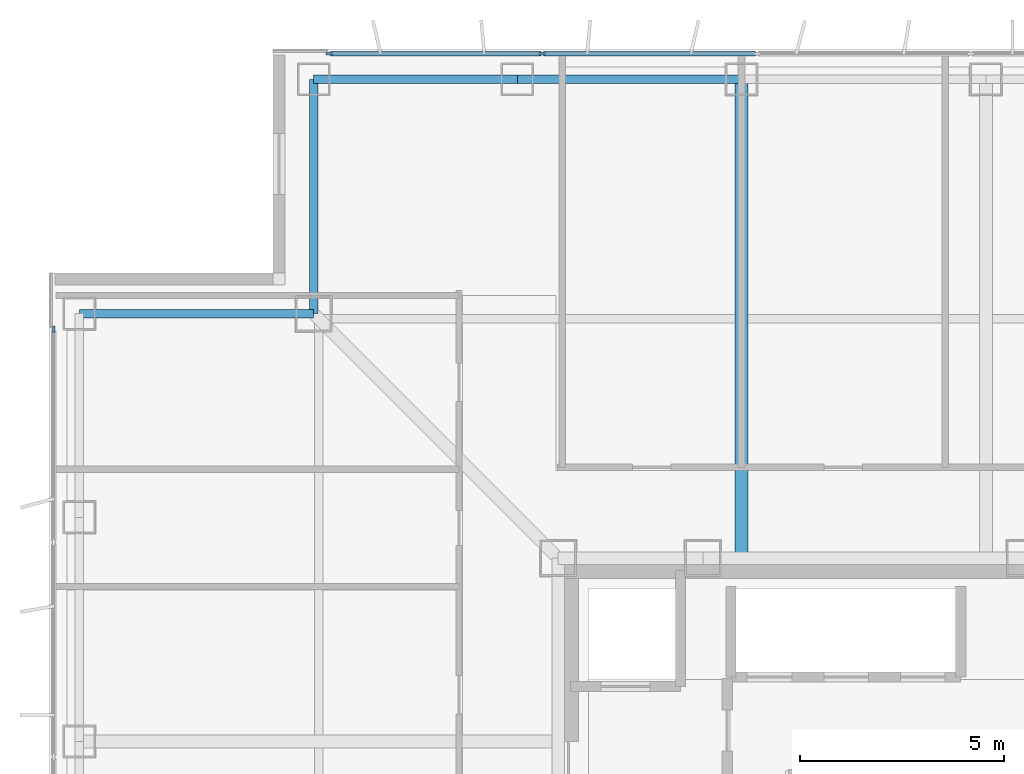
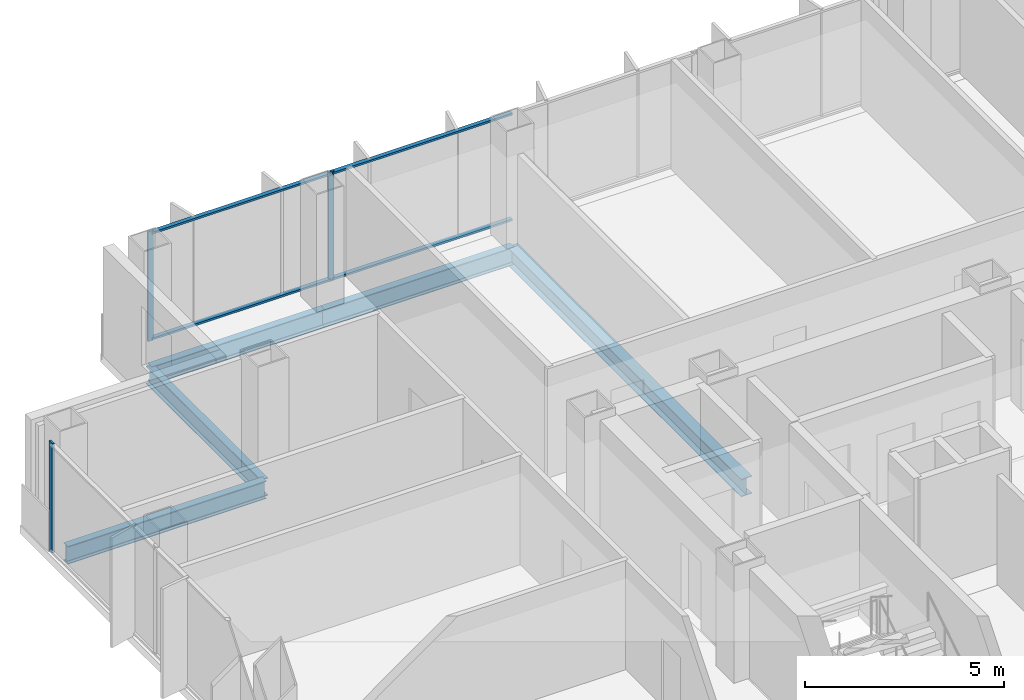
# One storey, part 7 of 18: 7 members, 5 beams, 2 elements without a shape of their own.
"""IFC4 building model written with IfcOpenShell, lengths in metres."""

from ifc_helpers import new_model, si_unit, direction, frame, origin, origin_2d, place, context, subcontext, project, spatial, rectangle, i_section, extrude, material, layer, layer_set, material_profile, profile_set, type_object, element, aggregate, save


model = new_model("IFC4")

# Units and contexts
model_context = context("Model", 3, precision=1e-05, world=origin(), true_north=direction((0.0, 1.0)))
body_context = subcontext(model_context, "Body", "Model", "MODEL_VIEW")
ifc_project = project(units=[si_unit("LENGTHUNIT", "METRE"), si_unit("AREAUNIT", "SQUARE_METRE"), si_unit("VOLUMEUNIT", "CUBIC_METRE"), si_unit("PLANEANGLEUNIT", "RADIAN"), si_unit("MASSUNIT", "GRAM", prefix="KILO")], contexts=[model_context])

# Site, building, storey
site_placement = place(None, origin())
site = spatial("IfcSite", under=ifc_project, at=site_placement, CompositionType="ELEMENT")
building_placement = place(site_placement, origin())
building = spatial("IfcBuilding", under=site, at=building_placement, Name="Trevonay Congress Spire", CompositionType="ELEMENT")
storey_placement = place(building_placement, frame((0.0, 0.0, 173.39990234375)))
storey = spatial("IfcBuildingStorey", under=building, at=storey_placement, Name="L44", CompositionType="ELEMENT", Elevation=173.39990234375)

# Beams
ifc_material_1 = material(Name="Steel ASTM A572 Grade 50", Category="steel")
ifc_material_profile_1 = material_profile(ifc_material_1, i_section(OverallWidth=0.31201171875, OverallDepth=0.54296875, WebThickness=0.0126953125, FlangeThickness=0.020263671875, FilletRadius=0.014892578125, at=origin_2d()), Name="W530x150")
ifc_profile_set_1 = profile_set([ifc_material_profile_1], Name="Steel ASTM A572 Grade 50")
beam_type_1 = type_object("IfcBeamType", Name="BM-GIRD-W530X150", PredefinedType="BEAM", material=ifc_profile_set_1)
beam_1_placement = place(storey_placement, frame((-3.0, 7.5, -0.511474609375), z_axis=(0.0, 1.0, 0.0), x_axis=(-1.0, 0.0, 0.0)))
element("IfcBeam", 1, at=beam_1_placement, inside=storey, type_object=beam_type_1, Name="L44 structural beam BM-L44-GN-M", PredefinedType="BEAM", context=body_context, shape_type="SweptSolid", body=[
    extrude(i_section(OverallWidth=0.31201171875, OverallDepth=0.54296875, WebThickness=0.0126953125, FlangeThickness=0.020263671875, FilletRadius=0.014892578125, at=origin_2d()), origin(), (0.0, 0.0, 1.0), 11.75),
])
ifc_material_profile_2 = material_profile(ifc_material_1, i_section(OverallWidth=0.2119140625, OverallDepth=0.5439453125, WebThickness=0.01318359375, FlangeThickness=0.021240234375, FilletRadius=0.014892578125, at=origin_2d()), Name="W530x123")
ifc_profile_set_2 = profile_set([ifc_material_profile_2], Name="Steel ASTM A572 Grade 50")
beam_type_2 = type_object("IfcBeamType", Name="BM-RING-W530X123", PredefinedType="BEAM", material=ifc_profile_set_2)
beam_2_placement = place(storey_placement, frame((-13.5, 19.25, -0.511962890625), z_axis=(1.0, 0.0, 0.0), x_axis=(0.0, 1.0, 0.0)))
element("IfcBeam", 2, at=beam_2_placement, inside=storey, type_object=beam_type_2, Name="L44 structural beam BM-L44-PN1", PredefinedType="BEAM", context=body_context, shape_type="SweptSolid", body=[
    extrude(i_section(OverallWidth=0.2119140625, OverallDepth=0.5439453125, WebThickness=0.01318359375, FlangeThickness=0.021240234375, FilletRadius=0.014892578125, at=origin_2d()), origin(), (0.0, 0.0, 1.0), 5.0),
])
beam_3_placement = place(storey_placement, frame((-8.5, 19.25, -0.511962890625), z_axis=(1.0, 0.0, 0.0), x_axis=(0.0, 1.0, 0.0)))
element("IfcBeam", 3, at=beam_3_placement, inside=storey, type_object=beam_type_2, Name="L44 structural beam BM-L44-PN2", PredefinedType="BEAM", context=body_context, shape_type="SweptSolid", body=[
    extrude(i_section(OverallWidth=0.2119140625, OverallDepth=0.5439453125, WebThickness=0.01318359375, FlangeThickness=0.021240234375, FilletRadius=0.014892578125, at=origin_2d()), origin(), (0.0, 0.0, 1.0), 5.5),
])
for number, where, z_axis, x_axis, name in (
    (4, (-13.5, 19.25, -0.511962890625), (0.0, -1.0, 0.0), (1.0, 0.0, 0.0), "L44 structural beam BM-L44-N1NW"),
    (5, (-19.25, 13.5, -0.511962890625), (1.0, 0.0, 0.0), (0.0, 1.0, 0.0), "L44 structural beam BM-L44-N2NW"),
):
    element("IfcBeam", number, at=place(storey_placement, frame(where, z_axis=z_axis, x_axis=x_axis)), inside=storey, type_object=beam_type_2, Name=name, PredefinedType="BEAM", context=body_context, shape_type="SweptSolid", body=[
        extrude(i_section(OverallWidth=0.2119140625, OverallDepth=0.5439453125, WebThickness=0.01318359375, FlangeThickness=0.021240234375, FilletRadius=0.014892578125, at=origin_2d()), origin(), (0.0, 0.0, 1.0), 5.75),
    ])

# Curtain wall, members
ifc_material_2 = material(Name="Pale Anodised Aluminium EN AW-6063-T6", Category="aluminium")
ifc_layer = layer(ifc_material_2, 0.169921875, Name="Pale Anodised Aluminium EN AW-6063-T6")
ifc_layer_set = layer_set([ifc_layer], Name="Pale Anodised Aluminium EN AW-6063-T6")
curtain_wall_type = type_object("IfcCurtainWallType", Name="CW-SYS04-CORP-PALE-METAL", PredefinedType="NOTDEFINED", material=ifc_layer_set)
curtain_wall_1_placement = place(storey_placement, origin())
curtain_wall_1 = element("IfcCurtainWall", 6, at=curtain_wall_1_placement, inside=storey, type_object=curtain_wall_type, Name="L44 N unitised curtain wall", PredefinedType="NOTDEFINED")
ifc_material_profile_3 = material_profile(ifc_material_2, rectangle(XDim=0.06005859375, YDim=0.159912109375, at=origin_2d()), Name="CW-MULLION-160-ALUMINIUM")
ifc_profile_set_3 = profile_set([ifc_material_profile_3], Name="Pale Anodised Aluminium EN AW-6063-T6")
member_type_1 = type_object("IfcMemberType", Name="CW-MULLION-160-ALUMINIUM", PredefinedType="MULLION", material=ifc_profile_set_3)
member_1_placement = place(storey_placement, frame((-13.1201171875, 19.8798828125, 0.0), z_axis=(0.0, 0.0, 1.0), x_axis=(0.0, 1.0, 0.0)))
member_1 = element("IfcMember", 7, at=member_1_placement, type_object=member_type_1, Name="CW04 mullion 1", PredefinedType="MULLION", context=body_context, shape_type="SweptSolid", body=[
    extrude(rectangle(XDim=0.06005859375, YDim=0.159912109375, at=origin_2d()), origin(), (0.0, 0.0, 1.0), 3.360107421875),
])
member_2_placement = place(storey_placement, frame((-7.889892578125, 19.8798828125, 0.0), z_axis=(0.0, 0.0, 1.0), x_axis=(0.0, 1.0, 0.0)))
member_2 = element("IfcMember", 8, at=member_2_placement, type_object=member_type_1, Name="CW04 mullion 2", PredefinedType="MULLION", context=body_context, shape_type="SweptSolid", body=[
    extrude(rectangle(XDim=0.06005859375, YDim=0.159912109375, at=origin_2d()), origin(), (0.0, 0.0, 1.0), 3.360107421875),
])

# Curtain wall, member
curtain_wall_2_placement = place(storey_placement, origin())
curtain_wall_2 = element("IfcCurtainWall", 9, at=curtain_wall_2_placement, inside=storey, type_object=curtain_wall_type, Name="L44 W unitised curtain wall", PredefinedType="NOTDEFINED")
member_3_placement = place(storey_placement, frame((-19.8798828125, 13.1201171875, 0.0), z_axis=(0.0, 0.0, 1.0), x_axis=(-1.0, 0.0, 0.0)))
member_3 = element("IfcMember", 10, at=member_3_placement, type_object=member_type_1, Name="CW04 mullion 6", PredefinedType="MULLION", context=body_context, shape_type="SweptSolid", body=[
    extrude(rectangle(XDim=0.06005859375, YDim=0.159912109375, at=origin_2d()), origin(), (0.0, 0.0, 1.0), 3.360107421875),
])
aggregate(curtain_wall_2, [member_3])

# Member
ifc_material_profile_4 = material_profile(ifc_material_2, rectangle(XDim=0.1201171875, YDim=0.06005859375, at=origin_2d()), Name="CW-TRANSOM-120-ALUMINIUM")
ifc_profile_set_4 = profile_set([ifc_material_profile_4], Name="Pale Anodised Aluminium EN AW-6063-T6")
member_type_2 = type_object("IfcMemberType", Name="CW-TRANSOM-120-ALUMINIUM", PredefinedType="USERDEFINED", material=ifc_profile_set_4)
member_4_placement = place(storey_placement, frame((-13.090087890625, 19.8798828125, 0.06005859375), z_axis=(1.0, 0.0, 0.0), x_axis=(0.0, 1.0, 0.0)))
member_4 = element("IfcMember", 11, at=member_4_placement, type_object=member_type_2, Name="CW04 transom 1.1", ObjectType="TRANSOM", PredefinedType="USERDEFINED", context=body_context, shape_type="SweptSolid", body=[
    extrude(rectangle(XDim=0.1201171875, YDim=0.06005859375, at=origin_2d()), origin(), (0.0, 0.0, 1.0), 5.170166015625),
])

member_5_placement = place(storey_placement, frame((-13.090087890625, 19.8798828125, 3.300048828125), z_axis=(1.0, 0.0, 0.0), x_axis=(0.0, 1.0, 0.0)))
member_5 = element("IfcMember", 12, at=member_5_placement, type_object=member_type_2, Name="CW04 transom 1.2", ObjectType="TRANSOM", PredefinedType="USERDEFINED", context=body_context, shape_type="SweptSolid", body=[
    extrude(rectangle(XDim=0.1201171875, YDim=0.06005859375, at=origin_2d()), origin(), (0.0, 0.0, 1.0), 5.170166015625),
])

member_6_placement = place(storey_placement, frame((-7.860107421875, 19.8798828125, 0.06005859375), z_axis=(1.0, 0.0, 0.0), x_axis=(0.0, 1.0, 0.0)))
member_6 = element("IfcMember", 13, at=member_6_placement, type_object=member_type_2, Name="CW04 transom 2.1", ObjectType="TRANSOM", PredefinedType="USERDEFINED", context=body_context, shape_type="SweptSolid", body=[
    extrude(rectangle(XDim=0.1201171875, YDim=0.06005859375, at=origin_2d()), origin(), (0.0, 0.0, 1.0), 5.2001953125),
])

member_7_placement = place(storey_placement, frame((-7.860107421875, 19.8798828125, 3.300048828125), z_axis=(1.0, 0.0, 0.0), x_axis=(0.0, 1.0, 0.0)))
member_7 = element("IfcMember", 14, at=member_7_placement, type_object=member_type_2, Name="CW04 transom 2.2", ObjectType="TRANSOM", PredefinedType="USERDEFINED", context=body_context, shape_type="SweptSolid", body=[
    extrude(rectangle(XDim=0.1201171875, YDim=0.06005859375, at=origin_2d()), origin(), (0.0, 0.0, 1.0), 5.2001953125),
])

aggregate(curtain_wall_1, [member_1, member_2, member_4, member_5, member_6, member_7])

save(model, "model.ifc")
